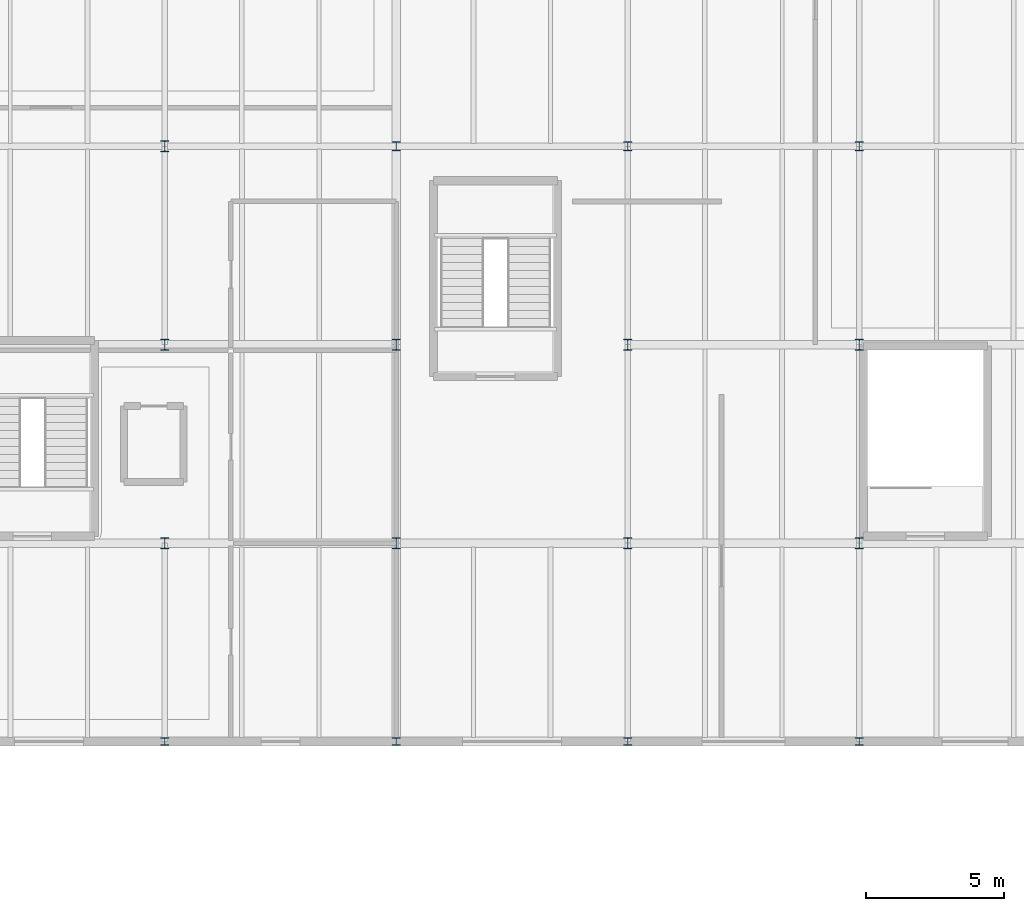
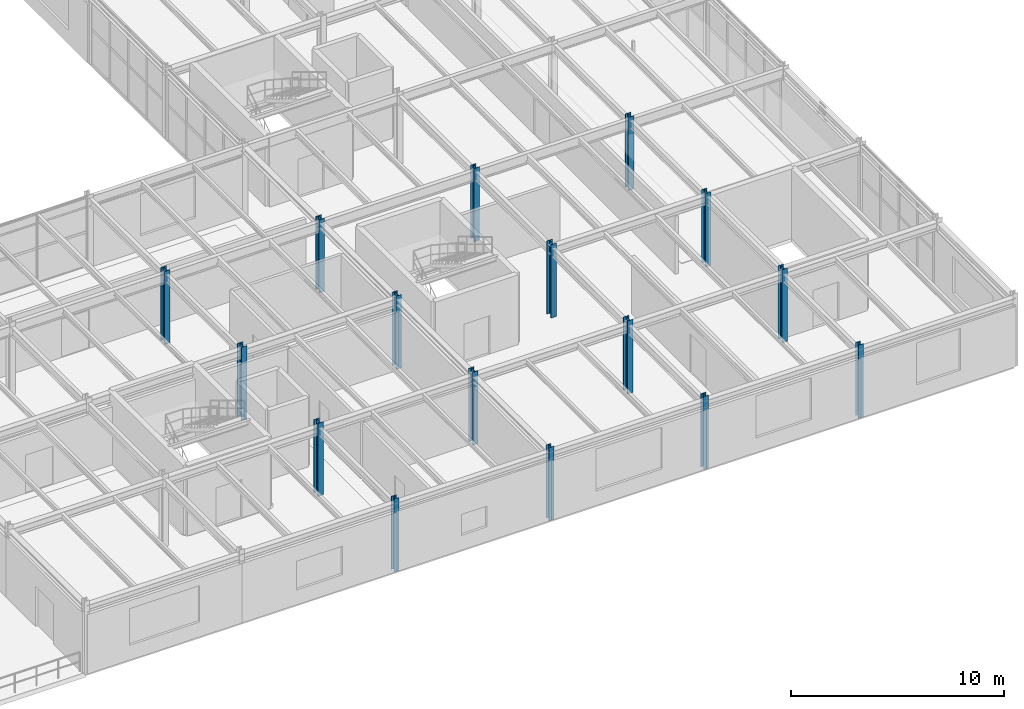
# One storey, part 12 of 73: 16 columns.
"""IFC4 building model written with IfcOpenShell, lengths in metres."""

import ifcopenshell
import ifcopenshell.guid

model = None  # the IFC model being written
_history = None  # IfcOwnerHistory: only IFC2X3 demands one
_inside = {}  # id of a spatial element -> (the spatial element, [elements in it])
_under = {}  # id of a project, library or spatial element -> (it, [spatial elements below it])
_declared = {}  # id of a project -> (the project, [libraries it declares])
_typed = {}  # id of a type object -> (the type object, [elements of that type])
_made_of = {}  # id of a material, layer set ... -> (it, [elements and type objects made of it])


def new_model(schema):
    """Start an empty IFC model of exactly this schema.

    Asked for "IFC4X3", IfcOpenShell would pick the latest addendum, in which some entities
    have other attributes; the version numbers below select the first issue.
    IFC2X3 requires an IfcOwnerHistory on every rooted entity: one is made here for all.
    """
    global model, _history
    if schema == "IFC4X3":
        model = ifcopenshell.file(schema_version=(4, 3, 0, 0))
    else:
        model = ifcopenshell.file(schema=schema)
    _inside.clear()
    _under.clear()
    _declared.clear()
    _typed.clear()
    _made_of.clear()
    _history = None
    if model.schema == "IFC2X3":
        org = make("IfcOrganization", Name="unknown")
        user = make(
            "IfcPersonAndOrganization",
            ThePerson=make("IfcPerson", FamilyName="unknown"),
            TheOrganization=org,
        )
        app = make(
            "IfcApplication",
            ApplicationDeveloper=org,
            Version="unknown",
            ApplicationFullName="unknown",
            ApplicationIdentifier="unknown",
        )
        _history = make(
            "IfcOwnerHistory",
            OwningUser=user,
            OwningApplication=app,
            ChangeAction="ADDED",
            CreationDate=0,
        )
    return model


def make(cls, **values):
    """One entity of the class cls with the attributes given. An attribute that is None is left unset."""
    return model.create_entity(
        cls, **{name: value for name, value in values.items() if value is not None}
    )


def rooted(cls, **values):
    """An entity with a GlobalId (a new one), such as an element, a storey or a relation."""
    return make(cls, GlobalId=ifcopenshell.guid.new(), OwnerHistory=_history, **values)


def si_unit(unit_type, name, prefix=None):
    """IfcSIUnit, for example si_unit("LENGTHUNIT", "METRE", prefix="MILLI")."""
    return make("IfcSIUnit", UnitType=unit_type, Prefix=prefix, Name=name)


def derived_unit(unit_type, elements):
    """IfcDerivedUnit: a product of units, each with its exponent."""
    return make(
        "IfcDerivedUnit",
        Elements=[
            make("IfcDerivedUnitElement", Unit=unit, Exponent=power)
            for unit, power in elements
        ],
        UnitType=unit_type,
    )


def assignment(units):
    """IfcUnitAssignment: the units of a project."""
    return None if units is None else make("IfcUnitAssignment", Units=units)


def point(xyz):
    """IfcCartesianPoint."""
    return None if xyz is None else make("IfcCartesianPoint", Coordinates=xyz)


def direction(xyz):
    """IfcDirection."""
    return None if xyz is None else make("IfcDirection", DirectionRatios=xyz)


def frame(location, z_axis=None, x_axis=None):
    """IfcAxis2Placement3D, a coordinate frame: its origin and axes. An axis left out is left unset."""
    return make(
        "IfcAxis2Placement3D",
        Location=point(location),
        Axis=direction(z_axis),
        RefDirection=direction(x_axis),
    )


def frame_2d(location, x_axis=None):
    """IfcAxis2Placement2D, a coordinate frame in the plane: its origin and x axis."""
    return make(
        "IfcAxis2Placement2D", Location=point(location), RefDirection=direction(x_axis)
    )


def origin():
    """The frame at (0, 0, 0) with its axes left unset."""
    return frame((0.0, 0.0, 0.0))


def origin_2d():
    """The frame at (0, 0) in the plane with its x axis left unset."""
    return frame_2d((0.0, 0.0))


def place(relative_to, where):
    """IfcLocalPlacement: puts the frame where relative to a parent placement (None: the world)."""
    return make(
        "IfcLocalPlacement", PlacementRelTo=relative_to, RelativePlacement=where
    )


def context(
    kind, dimensions, precision=None, world=None, true_north=None, identifier=None
):
    """IfcGeometricRepresentationContext, for example the 3D "Model" context."""
    return make(
        "IfcGeometricRepresentationContext",
        ContextIdentifier=identifier,
        ContextType=kind,
        CoordinateSpaceDimension=dimensions,
        Precision=precision,
        WorldCoordinateSystem=world,
        TrueNorth=true_north,
    )


def subcontext(parent, identifier, kind, view, scale=None):
    """IfcGeometricRepresentationSubContext, for example "Body" below "Model"."""
    return make(
        "IfcGeometricRepresentationSubContext",
        ContextIdentifier=identifier,
        ContextType=kind,
        ParentContext=parent,
        TargetScale=scale,
        TargetView=view,
    )


def project(units=None, contexts=None):
    """IfcProject with its units and contexts."""
    return rooted(
        "IfcProject",
        Name="project",
        RepresentationContexts=contexts,
        UnitsInContext=assignment(units),
    )


def spatial(cls, under=None, at=None, **own):
    """A site, building, storey or space (cls), placed at a placement, below another one or the project."""
    s = rooted(cls, ObjectPlacement=at, **own)
    if under is not None:
        _under.setdefault(under.id(), (under, []))[1].append(s)
    return s


def profile(cls, at=None, kind="AREA", **sizes):
    """A parametric profile (cls). Its sizes go by their IFC names, for example OverallWidth=200.0."""
    return make(cls, ProfileType=kind, Position=at, **sizes)


def i_section(**sizes):
    """IfcIShapeProfileDef."""
    return profile("IfcIShapeProfileDef", **sizes)


def extrude(swept, where, along, depth):
    """IfcExtrudedAreaSolid: the profile swept, set in the frame where, extruded along a direction by depth."""
    return make(
        "IfcExtrudedAreaSolid",
        SweptArea=swept,
        Position=where,
        ExtrudedDirection=direction(along),
        Depth=depth,
    )


def shape(context_of_items, identifier, shape_type, items):
    """IfcShapeRepresentation: the items that make up one representation, for example the "Body"."""
    return make(
        "IfcShapeRepresentation",
        ContextOfItems=context_of_items,
        RepresentationIdentifier=identifier,
        RepresentationType=shape_type,
        Items=items,
    )


def material(Name=None, Category=None):
    """IfcMaterial."""
    return make("IfcMaterial", Name=Name, Category=Category)


def material_profile(
    of_material, cross_section, Name=None, Category=None, Priority=None
):
    """IfcMaterialProfile: a cross section and its material."""
    return make(
        "IfcMaterialProfile",
        Name=Name,
        Material=of_material,
        Profile=cross_section,
        Priority=Priority,
        Category=Category,
    )


def profile_set(profiles, Name=None, composite=None):
    """IfcMaterialProfileSet."""
    return make(
        "IfcMaterialProfileSet",
        Name=Name,
        MaterialProfiles=profiles,
        CompositeProfile=composite,
    )


def made_of(thing, what):
    """Note that an element or type object is made of a material, layer set ...; save() writes the relation."""
    if what is not None:
        _made_of.setdefault(what.id(), (what, []))[1].append(thing)
    return thing


def type_object(cls, material=None, **own):
    """A type object (cls), such as IfcWallType, which elements share."""
    return made_of(rooted(cls, **own), material)


def element(
    cls,
    number,
    at=None,
    inside=None,
    cuts=None,
    type_object=None,
    material=None,
    context=None,
    identifier="Body",
    shape_type=None,
    held_by="IfcProductDefinitionShape",
    body=None,
    shapes=None,
    **own,
):
    """One element of the class cls, such as IfcWall. Its Tag is "e" and its number.

    at: its placement. inside: the storey or other place that contains it. cuts: it is an
    opening in that element (IfcRelVoidsElement). A single representation is given by context,
    identifier, shape_type and body (its items); several are given by shapes. held_by: the class
    of the entity that holds the representations. save() writes the other relations.
    """
    e = rooted(cls, Tag="e%d" % number, ObjectPlacement=at, **own)
    if body is not None:
        shapes = [shape(context, identifier, shape_type, body)]
    if shapes is not None:
        e.Representation = make(held_by, Representations=shapes)
    if inside is not None:
        _inside.setdefault(inside.id(), (inside, []))[1].append(e)
    if cuts is not None:
        rooted(
            "IfcRelVoidsElement", RelatingBuildingElement=cuts, RelatedOpeningElement=e
        )
    if type_object is not None:
        _typed.setdefault(type_object.id(), (type_object, []))[1].append(e)
    return made_of(e, material)


def aggregate(whole, parts):
    """IfcRelAggregates: a whole, such as a stair, and the parts it consists of."""
    return rooted("IfcRelAggregates", RelatingObject=whole, RelatedObjects=parts)


def save(model, path):
    """Write the relations noted so far, then the file.

    IfcRelAggregates (storeys below a building ...), IfcRelContainedInSpatialStructure (elements
    in a storey), IfcRelDefinesByType, IfcRelAssociatesMaterial and IfcRelDeclares: one each for
    every whole, place, type object, material and project.
    """
    for whole, parts in _under.values():
        aggregate(whole, parts)
    for where, things in _inside.values():
        rooted(
            "IfcRelContainedInSpatialStructure",
            RelatedElements=things,
            RelatingStructure=where,
        )
    for kind, things in _typed.values():
        rooted("IfcRelDefinesByType", RelatedObjects=things, RelatingType=kind)
    for what, things in _made_of.values():
        rooted("IfcRelAssociatesMaterial", RelatedObjects=things, RelatingMaterial=what)
    for by, libraries in _declared.values():
        rooted("IfcRelDeclares", RelatingContext=by, RelatedDefinitions=libraries)
    model.write(path)


model = new_model("IFC4")

# Units and contexts
model_context = context("Model", 3, precision=1e-05, world=origin(), true_north=direction((0.0, 1.0)))
body_context = subcontext(model_context, "Body", "Model", "MODEL_VIEW")
ifc_project = project(units=[si_unit("LENGTHUNIT", "METRE"), si_unit("AREAUNIT", "SQUARE_METRE"), si_unit("VOLUMEUNIT", "CUBIC_METRE"), si_unit("PLANEANGLEUNIT", "RADIAN"), si_unit("MASSUNIT", "GRAM", prefix="KILO"), derived_unit("THERMALTRANSMITTANCEUNIT", [(si_unit("MASSUNIT", "GRAM", prefix="KILO"), 1), (si_unit("TIMEUNIT", "SECOND"), -3), (si_unit("THERMODYNAMICTEMPERATUREUNIT", "KELVIN"), -1)])], contexts=[model_context])

# Site, building, storey
site_placement = place(None, origin())
site = spatial("IfcSite", under=ifc_project, at=site_placement, CompositionType="ELEMENT")
building_placement = place(site_placement, origin())
building = spatial("IfcBuilding", under=site, at=building_placement, Name="Kharveza Railside Sports Centre", CompositionType="ELEMENT")
storey_placement = place(building_placement, frame((0.0, 0.0, 8.699951171875)))
storey = spatial("IfcBuildingStorey", under=building, at=storey_placement, Name="L02", CompositionType="ELEMENT", Elevation=8.699951171875)

# Columns
ifc_material = material(Name="Steel S355J2", Category="steel")
ifc_material_profile_1 = material_profile(ifc_material, i_section(OverallWidth=0.300048828125, OverallDepth=0.340087890625, WebThickness=0.011962890625, FlangeThickness=0.021484375, FilletRadius=0.027099609375, at=origin_2d()), Name="HEB 340")
ifc_profile_set_1 = profile_set([ifc_material_profile_1], Name="Steel S355J2")
column_type_1 = type_object("IfcColumnType", Name="COL-S06", PredefinedType="COLUMN", material=ifc_profile_set_1)
for number, where, z_axis, x_axis, name in (
    (1, (142.800048828125, 28.800048828125, 0.0), (0.0, 0.0, 1.0), (1.0, 0.0, 0.0), "COL-G-C06-X1428-Y288-L02"),
    (2, (151.199951171875, 28.800048828125, 0.0), (0.0, 0.0, 1.0), (1.0, 0.0, 0.0), "COL-G-C06-X1512-Y288-L02"),
    (3, (159.60009765625, 28.800048828125, 0.0), (0.0, 0.0, 1.0), (1.0, 0.0, 0.0), "COL-G-C06-X1596-Y288-L02"),
):
    element("IfcColumn", number, at=place(storey_placement, frame(where, z_axis=z_axis, x_axis=x_axis)), inside=storey, type_object=column_type_1, Name=name, PredefinedType="COLUMN", context=body_context, shape_type="SweptSolid", body=[
        extrude(i_section(OverallWidth=0.300048828125, OverallDepth=0.340087890625, WebThickness=0.011962890625, FlangeThickness=0.021484375, FilletRadius=0.027099609375, at=origin_2d()), origin(), (0.0, 0.0, 1.0), 4.199951171875),
    ])
ifc_material_profile_2 = material_profile(ifc_material, i_section(OverallWidth=0.300048828125, OverallDepth=0.389892578125, WebThickness=0.010986328125, FlangeThickness=0.01904296875, FilletRadius=0.027099609375, at=origin_2d()), Name="HEA 400")
ifc_profile_set_2 = profile_set([ifc_material_profile_2], Name="Steel S355J2")
column_type_2 = type_object("IfcColumnType", Name="COL-S10", PredefinedType="COLUMN", material=ifc_profile_set_2)
for number, where, z_axis, x_axis, name in (
    (4, (134.39990234375, 14.39990234375, 0.0), (0.0, 0.0, 1.0), (1.0, 0.0, 0.0), "COL-G-C10-X1344-Y144-L02"),
    (5, (134.39990234375, 21.60009765625, 0.0), (0.0, 0.0, 1.0), (1.0, 0.0, 0.0), "COL-G-C10-X1344-Y216-L02"),
    (6, (134.39990234375, 28.800048828125, 0.0), (0.0, 0.0, 1.0), (1.0, 0.0, 0.0), "COL-G-C10-X1344-Y288-L02"),
    (7, (142.800048828125, 14.39990234375, 0.0), (0.0, 0.0, 1.0), (1.0, 0.0, 0.0), "COL-G-C10-X1428-Y144-L02"),
    (8, (142.800048828125, 21.60009765625, 0.0), (0.0, 0.0, 1.0), (1.0, 0.0, 0.0), "COL-G-C10-X1428-Y216-L02"),
    (9, (151.199951171875, 14.39990234375, 0.0), (0.0, 0.0, 1.0), (1.0, 0.0, 0.0), "COL-G-C10-X1512-Y144-L02"),
    (10, (151.199951171875, 21.60009765625, 0.0), (0.0, 0.0, 1.0), (1.0, 0.0, 0.0), "COL-G-C10-X1512-Y216-L02"),
    (11, (159.60009765625, 14.39990234375, 0.0), (0.0, 0.0, 1.0), (1.0, 0.0, 0.0), "COL-G-C10-X1596-Y144-L02"),
    (12, (159.60009765625, 21.60009765625, 0.0), (0.0, 0.0, 1.0), (1.0, 0.0, 0.0), "COL-G-C10-X1596-Y216-L02"),
):
    element("IfcColumn", number, at=place(storey_placement, frame(where, z_axis=z_axis, x_axis=x_axis)), inside=storey, type_object=column_type_2, Name=name, PredefinedType="COLUMN", context=body_context, shape_type="SweptSolid", body=[
        extrude(i_section(OverallWidth=0.300048828125, OverallDepth=0.389892578125, WebThickness=0.010986328125, FlangeThickness=0.01904296875, FilletRadius=0.027099609375, at=origin_2d()), origin(), (0.0, 0.0, 1.0), 4.199951171875),
    ])
ifc_material_profile_3 = material_profile(ifc_material, i_section(OverallWidth=0.280029296875, OverallDepth=0.27001953125, WebThickness=0.008056640625, FlangeThickness=0.012939453125, FilletRadius=0.02392578125, at=origin_2d()), Name="HEA 280")
ifc_profile_set_3 = profile_set([ifc_material_profile_3], Name="Steel S355J2")
column_type_3 = type_object("IfcColumnType", Name="COL-S13", PredefinedType="COLUMN", material=ifc_profile_set_3)
for number, where, z_axis, x_axis, name in (
    (13, (134.39990234375, 7.199951171875, 0.0), (0.0, 0.0, 1.0), (1.0, 0.0, 0.0), "COL-G-C13-X1344-Y72-L02"),
    (14, (142.800048828125, 7.199951171875, 0.0), (0.0, 0.0, 1.0), (1.0, 0.0, 0.0), "COL-G-C13-X1428-Y72-L02"),
    (15, (151.199951171875, 7.199951171875, 0.0), (0.0, 0.0, 1.0), (1.0, 0.0, 0.0), "COL-G-C13-X1512-Y72-L02"),
    (16, (159.60009765625, 7.199951171875, 0.0), (0.0, 0.0, 1.0), (1.0, 0.0, 0.0), "COL-G-C13-X1596-Y72-L02"),
):
    element("IfcColumn", number, at=place(storey_placement, frame(where, z_axis=z_axis, x_axis=x_axis)), inside=storey, type_object=column_type_3, Name=name, PredefinedType="COLUMN", context=body_context, shape_type="SweptSolid", body=[
        extrude(i_section(OverallWidth=0.280029296875, OverallDepth=0.27001953125, WebThickness=0.008056640625, FlangeThickness=0.012939453125, FilletRadius=0.02392578125, at=origin_2d()), origin(), (0.0, 0.0, 1.0), 4.199951171875),
    ])

save(model, "model.ifc")
